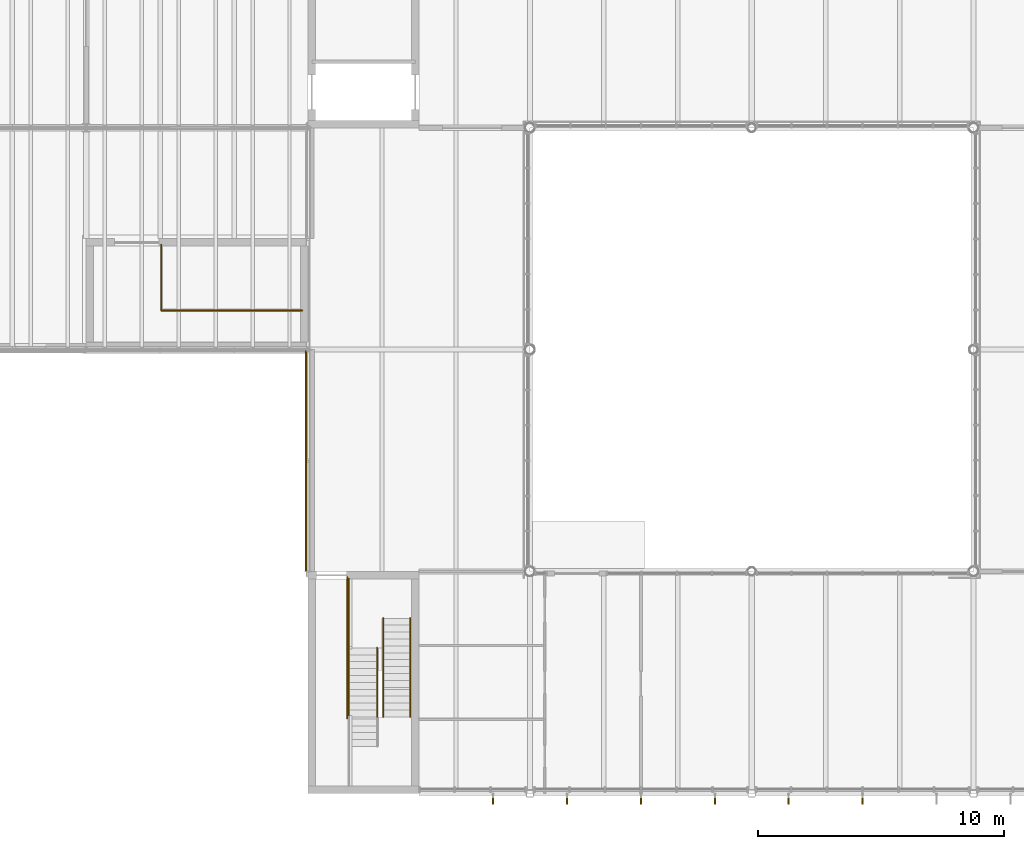
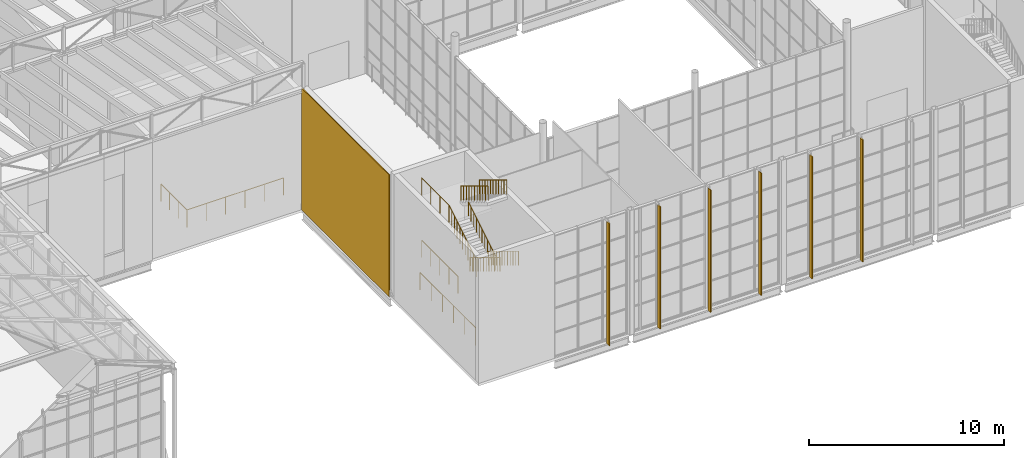
# One storey, part 87 of 90: 10 railings, 6 shading devices, 1 covering.
"""IFC4 building model written with IfcOpenShell, lengths in metres."""

from ifc_helpers import new_model, si_unit, direction, frame, frame_2d, origin, origin_2d, place, context, subcontext, project, spatial, rectangle, circle, extrude, material, layer, layer_set, type_object, element, save


model = new_model("IFC4")

# Units and contexts
model_context = context("Model", 3, precision=1e-05, world=origin(), true_north=direction((0.0, 1.0)))
body_context = subcontext(model_context, "Body", "Model", "MODEL_VIEW")
ifc_project = project(units=[si_unit("LENGTHUNIT", "METRE"), si_unit("AREAUNIT", "SQUARE_METRE"), si_unit("VOLUMEUNIT", "CUBIC_METRE"), si_unit("PLANEANGLEUNIT", "RADIAN"), si_unit("MASSUNIT", "GRAM", prefix="KILO")], contexts=[model_context])

# Site, building, storey
site_placement = place(None, origin())
site = spatial("IfcSite", under=ifc_project, at=site_placement, CompositionType="ELEMENT")
building_placement = place(site_placement, origin())
building = spatial("IfcBuilding", under=site, at=building_placement, Name="Halyard Row Museum", CompositionType="ELEMENT")
storey_placement = place(building_placement, frame((0.0, 0.0, 13.39990234375)))
storey = spatial("IfcBuildingStorey", under=building, at=storey_placement, Name="L03", CompositionType="ELEMENT", Elevation=13.39990234375)

# Railings
ifc_material_1 = material(Name="Steel Grade 300", Category="steel")
railing_type_1 = type_object("IfcRailingType", Name="Guard GR2 steel balustrade 1100", PredefinedType="GUARDRAIL", material=ifc_material_1)
railing_1_placement = place(storey_placement, frame((73.64990234375, 3.10009765625, 4.2392578125)))
element("IfcRailing", 1, at=railing_1_placement, inside=storey, type_object=railing_type_1, Name="Guard GR046", PredefinedType="GUARDRAIL", context=body_context, shape_type="SweptSolid", body=[
    extrude(circle(Radius=0.02392578125, at=origin_2d()), frame((0.0, 0.0, 1.076171875), z_axis=(0.0, 0.855378239897, 0.518003925382), x_axis=(-1.0, 0.0, 0.0)), (0.0, 0.0, 1.0), 0.3271484375),
    extrude(circle(Radius=0.02392578125, at=origin_2d()), frame((0.0, 0.27978515625, 1.24560546875), z_axis=(0.0, 0.855247904055, 0.518219087461), x_axis=(-1.0, 0.0, 0.0)), (0.0, 0.0, 1.0), 0.327392578125),
    extrude(circle(Radius=0.02392578125, at=origin_2d()), frame((0.0, 0.559814453125, 1.4150390625), z_axis=(0.0, 0.855578329207, 0.517673374428), x_axis=(-1.0, 0.0, 0.0)), (0.0, 0.0, 1.0), 0.327392578125),
    extrude(circle(Radius=0.02392578125, at=origin_2d()), frame((0.0, 0.83984375, 1.58447265625), z_axis=(0.0, 0.855247904055, 0.518219087461), x_axis=(-1.0, 0.0, 0.0)), (0.0, 0.0, 1.0), 0.327392578125),
    extrude(circle(Radius=0.02392578125, at=origin_2d()), frame((0.0, 1.119873046875, 1.75439453125), z_axis=(0.0, 0.855247904055, 0.518219087461), x_axis=(-1.0, 0.0, 0.0)), (0.0, 0.0, 1.0), 0.327392578125),
    extrude(circle(Radius=0.02392578125, at=origin_2d()), frame((0.0, 1.39990234375, 1.923828125), z_axis=(0.0, 0.855578329207, 0.517673374428), x_axis=(-1.0, 0.0, 0.0)), (0.0, 0.0, 1.0), 0.327392578125),
    extrude(circle(Radius=0.02392578125, at=origin_2d()), frame((0.0, 1.679931640625, 2.09326171875), z_axis=(0.0, 0.855247904055, 0.518219087461), x_axis=(-1.0, 0.0, 0.0)), (0.0, 0.0, 1.0), 0.327392578125),
    extrude(circle(Radius=0.02392578125, at=origin_2d()), frame((0.0, 1.9599609375, 2.26318359375), z_axis=(0.0, 0.855578329207, 0.517673374428), x_axis=(-1.0, 0.0, 0.0)), (0.0, 0.0, 1.0), 0.327392578125),
    extrude(circle(Radius=0.02392578125, at=origin_2d()), frame((0.0, 2.239990234375, 2.4326171875), z_axis=(0.0, 0.855247904055, 0.518219087461), x_axis=(-1.0, 0.0, 0.0)), (0.0, 0.0, 1.0), 0.327392578125),
    extrude(circle(Radius=0.02392578125, at=origin_2d()), frame((0.0, 2.52001953125, 2.60205078125), z_axis=(0.0, 0.855378239897, 0.518003925382), x_axis=(-1.0, 0.0, 0.0)), (0.0, 0.0, 1.0), 0.3271484375),
    extrude(circle(Radius=0.02099609375, at=origin_2d()), origin(), (0.0, 0.0, 1.0), 1.052001953125),
    extrude(circle(Radius=0.02099609375, at=origin_2d()), frame((0.0, 0.27978515625, 0.16943359375)), (0.0, 0.0, 1.0), 1.052001953125),
    extrude(circle(Radius=0.02099609375, at=origin_2d()), frame((0.0, 0.559814453125, 0.339111328125)), (0.0, 0.0, 1.0), 1.052001953125),
    extrude(circle(Radius=0.02099609375, at=origin_2d()), frame((0.0, 0.83984375, 0.508544921875)), (0.0, 0.0, 1.0), 1.052001953125),
    extrude(circle(Radius=0.02099609375, at=origin_2d()), frame((0.0, 1.119873046875, 0.67822265625)), (0.0, 0.0, 1.0), 1.052001953125),
    extrude(circle(Radius=0.02099609375, at=origin_2d()), frame((0.0, 1.39990234375, 0.847900390625)), (0.0, 0.0, 1.0), 1.052001953125),
    extrude(circle(Radius=0.02099609375, at=origin_2d()), frame((0.0, 1.679931640625, 1.017333984375)), (0.0, 0.0, 1.0), 1.052001953125),
    extrude(circle(Radius=0.02099609375, at=origin_2d()), frame((0.0, 1.9599609375, 1.18701171875)), (0.0, 0.0, 1.0), 1.052001953125),
    extrude(circle(Radius=0.02099609375, at=origin_2d()), frame((0.0, 2.239990234375, 1.3564453125)), (0.0, 0.0, 1.0), 1.052001953125),
    extrude(circle(Radius=0.02099609375, at=origin_2d()), frame((0.0, 2.52001953125, 1.526123046875)), (0.0, 0.0, 1.0), 1.052001953125),
    extrude(circle(Radius=0.02099609375, at=origin_2d()), frame((0.0, 2.7998046875, 1.695556640625)), (0.0, 0.0, 1.0), 1.052001953125),
])
railing_2_placement = place(storey_placement, frame((73.64990234375, 4.97998046875, 2.034912109375)))
element("IfcRailing", 2, at=railing_2_placement, inside=storey, type_object=railing_type_1, Name="Guard GR047", PredefinedType="GUARDRAIL", context=body_context, shape_type="SweptSolid", body=[
    extrude(circle(Radius=0.02392578125, at=origin_2d()), frame((0.0, 0.0, 1.076171875), z_axis=(0.0, 1.0, 0.0), x_axis=(-1.0, 0.0, 0.0)), (0.0, 0.0, 1.0), 3.719970703125),
    extrude(circle(Radius=0.02099609375, at=origin_2d()), origin(), (0.0, 0.0, 1.0), 1.052001953125),
    extrude(circle(Radius=0.02099609375, at=origin_2d()), frame((0.0, 0.929931640625, 0.0)), (0.0, 0.0, 1.0), 1.052001953125),
    extrude(circle(Radius=0.02099609375, at=origin_2d()), frame((0.0, 1.85986328125, 0.0)), (0.0, 0.0, 1.0), 1.052001953125),
    extrude(circle(Radius=0.02099609375, at=origin_2d()), frame((0.0, 2.7900390625, 0.0)), (0.0, 0.0, 1.0), 1.052001953125),
    extrude(circle(Radius=0.02099609375, at=origin_2d()), frame((0.0, 3.719970703125, 0.0)), (0.0, 0.0, 1.0), 1.052001953125),
])
railing_3_placement = place(storey_placement, frame((73.64990234375, 5.89990234375, 5.934814453125)))
element("IfcRailing", 3, at=railing_3_placement, inside=storey, type_object=railing_type_1, Name="Guard GR049", PredefinedType="GUARDRAIL", context=body_context, shape_type="SweptSolid", body=[
    extrude(circle(Radius=0.02392578125, at=origin_2d()), frame((0.0, 0.0, 1.076171875), z_axis=(0.0, 1.0, 0.0), x_axis=(-1.0, 0.0, 0.0)), (0.0, 0.0, 1.0), 2.800048828125),
    extrude(circle(Radius=0.02099609375, at=origin_2d()), origin(), (0.0, 0.0, 1.0), 1.052001953125),
    extrude(circle(Radius=0.02099609375, at=origin_2d()), frame((0.0, 0.933349609375, 0.0)), (0.0, 0.0, 1.0), 1.052001953125),
    extrude(circle(Radius=0.02099609375, at=origin_2d()), frame((0.0, 1.86669921875, 0.0)), (0.0, 0.0, 1.0), 1.052001953125),
    extrude(circle(Radius=0.02099609375, at=origin_2d()), frame((0.0, 2.800048828125, 0.0)), (0.0, 0.0, 1.0), 1.052001953125),
])
railing_4_placement = place(storey_placement, frame((71.760009765625, 19.590087890625, 0.0)))
element("IfcRailing", 4, at=railing_4_placement, inside=storey, type_object=railing_type_1, Name="Guard GR149", PredefinedType="GUARDRAIL", context=body_context, shape_type="SweptSolid", body=[
    extrude(circle(Radius=0.02392578125, at=origin_2d()), frame((0.0, 0.0, 1.076171875), z_axis=(-1.0, 0.0, 0.0), x_axis=(0.0, -1.0, 0.0)), (0.0, 0.0, 1.0), 5.719970703125),
    extrude(circle(Radius=0.02392578125, at=origin_2d()), frame((-5.719970703125, 0.0, 1.076171875), z_axis=(0.0, 1.0, 0.0), x_axis=(-1.0, 0.0, 0.0)), (0.0, 0.0, 1.0), 2.669921875),
    extrude(circle(Radius=0.02099609375, at=origin_2d()), origin(), (0.0, 0.0, 1.0), 1.052001953125),
    extrude(circle(Radius=0.02099609375, at=origin_2d()), frame((-1.14404296875, 0.0, 0.0)), (0.0, 0.0, 1.0), 1.052001953125),
    extrude(circle(Radius=0.02099609375, at=origin_2d()), frame((-2.2880859375, 0.0, 0.0)), (0.0, 0.0, 1.0), 1.052001953125),
    extrude(circle(Radius=0.02099609375, at=origin_2d()), frame((-3.431884765625, 0.0, 0.0)), (0.0, 0.0, 1.0), 1.052001953125),
    extrude(circle(Radius=0.02099609375, at=origin_2d()), frame((-4.575927734375, 0.0, 0.0)), (0.0, 0.0, 1.0), 1.052001953125),
    extrude(circle(Radius=0.02099609375, at=origin_2d()), frame((-5.719970703125, 0.0, 0.0)), (0.0, 0.0, 1.0), 1.052001953125),
    extrude(circle(Radius=0.02099609375, at=origin_2d()), frame((-5.719970703125, 0.889892578125, 0.0)), (0.0, 0.0, 1.0), 1.052001953125),
    extrude(circle(Radius=0.02099609375, at=origin_2d()), frame((-5.719970703125, 1.780029296875, 0.0)), (0.0, 0.0, 1.0), 1.052001953125),
    extrude(circle(Radius=0.02099609375, at=origin_2d()), frame((-5.719970703125, 2.669921875, 0.0)), (0.0, 0.0, 1.0), 1.052001953125),
])
railing_5_placement = place(storey_placement, frame((73.590087890625, 3.0400390625, 0.0)))
element("IfcRailing", 5, at=railing_5_placement, inside=storey, type_object=railing_type_1, Name="Guard GR158", PredefinedType="GUARDRAIL", context=body_context, shape_type="SweptSolid", body=[
    extrude(circle(Radius=0.02392578125, at=origin_2d()), frame((0.0, 0.0, 1.076171875), z_axis=(0.0, 1.0, 0.0), x_axis=(-1.0, 0.0, 0.0)), (0.0, 0.0, 1.0), 5.719970703125),
    extrude(circle(Radius=0.02099609375, at=origin_2d()), origin(), (0.0, 0.0, 1.0), 1.052001953125),
    extrude(circle(Radius=0.02099609375, at=origin_2d()), frame((0.0, 1.14404296875, 0.0)), (0.0, 0.0, 1.0), 1.052001953125),
    extrude(circle(Radius=0.02099609375, at=origin_2d()), frame((0.0, 2.2880859375, 0.0)), (0.0, 0.0, 1.0), 1.052001953125),
    extrude(circle(Radius=0.02099609375, at=origin_2d()), frame((0.0, 3.431884765625, 0.0)), (0.0, 0.0, 1.0), 1.052001953125),
    extrude(circle(Radius=0.02099609375, at=origin_2d()), frame((0.0, 4.575927734375, 0.0)), (0.0, 0.0, 1.0), 1.052001953125),
    extrude(circle(Radius=0.02099609375, at=origin_2d()), frame((0.0, 5.719970703125, 0.0)), (0.0, 0.0, 1.0), 1.052001953125),
])
ifc_material_2 = material(Name="Steel Grade 300", Category="steel")
railing_type_2 = type_object("IfcRailingType", Name="Handrail HR2 steel 900", PredefinedType="HANDRAIL", material=ifc_material_2)
railing_6_placement = place(storey_placement, frame((76.14990234375, 6.179931640625, 2.204345703125)))
element("IfcRailing", 6, at=railing_6_placement, inside=storey, type_object=railing_type_2, Name="Handrail HR068", PredefinedType="HANDRAIL", context=body_context, shape_type="SweptSolid", body=[
    extrude(circle(Radius=0.02392578125, at=origin_2d()), frame((0.0, 0.0, 0.8759765625), z_axis=(0.0, -0.855247904055, 0.518219087461), x_axis=(1.0, 0.0, 0.0)), (0.0, 0.0, 1.0), 0.327392578125),
    extrude(circle(Radius=0.02392578125, at=origin_2d()), frame((0.0, -0.280029296875, 1.04541015625), z_axis=(0.0, -0.855378239897, 0.518003925382), x_axis=(1.0, 0.0, 0.0)), (0.0, 0.0, 1.0), 0.3271484375),
    extrude(circle(Radius=0.02392578125, at=origin_2d()), frame((0.0, -0.559814453125, 1.21484375), z_axis=(0.0, -0.855247904055, 0.518219087461), x_axis=(1.0, 0.0, 0.0)), (0.0, 0.0, 1.0), 0.327392578125),
    extrude(circle(Radius=0.02392578125, at=origin_2d()), frame((0.0, -0.83984375, 1.384765625), z_axis=(0.0, -0.855247904055, 0.518219087461), x_axis=(1.0, 0.0, 0.0)), (0.0, 0.0, 1.0), 0.327392578125),
    extrude(circle(Radius=0.02392578125, at=origin_2d()), frame((0.0, -1.119873046875, 1.55419921875), z_axis=(0.0, -0.855578329207, 0.517673374428), x_axis=(1.0, 0.0, 0.0)), (0.0, 0.0, 1.0), 0.327392578125),
    extrude(circle(Radius=0.02392578125, at=origin_2d()), frame((0.0, -1.39990234375, 1.7236328125), z_axis=(0.0, -0.855247904055, 0.518219087461), x_axis=(1.0, 0.0, 0.0)), (0.0, 0.0, 1.0), 0.327392578125),
    extrude(circle(Radius=0.02392578125, at=origin_2d()), frame((0.0, -1.679931640625, 1.8935546875), z_axis=(0.0, -0.855578329207, 0.517673374428), x_axis=(1.0, 0.0, 0.0)), (0.0, 0.0, 1.0), 0.327392578125),
    extrude(circle(Radius=0.02392578125, at=origin_2d()), frame((0.0, -1.9599609375, 2.06298828125), z_axis=(0.0, -0.855247904055, 0.518219087461), x_axis=(1.0, 0.0, 0.0)), (0.0, 0.0, 1.0), 0.327392578125),
    extrude(circle(Radius=0.02392578125, at=origin_2d()), frame((0.0, -2.239990234375, 2.232421875), z_axis=(0.0, -0.855578329207, 0.517673374428), x_axis=(1.0, 0.0, 0.0)), (0.0, 0.0, 1.0), 0.327392578125),
    extrude(circle(Radius=0.02392578125, at=origin_2d()), frame((0.0, -2.52001953125, 2.40185546875), z_axis=(0.0, -0.855247904055, 0.518219087461), x_axis=(1.0, 0.0, 0.0)), (0.0, 0.0, 1.0), 0.327392578125),
    extrude(circle(Radius=0.02392578125, at=origin_2d()), frame((0.0, -2.800048828125, 2.57177734375), z_axis=(0.0, -0.855378239897, 0.518003925382), x_axis=(1.0, 0.0, 0.0)), (0.0, 0.0, 1.0), 0.3271484375),
    extrude(circle(Radius=0.02099609375, at=origin_2d()), origin(), (0.0, 0.0, 1.0), 0.851806640625),
    extrude(circle(Radius=0.02099609375, at=origin_2d()), frame((0.0, -0.280029296875, 0.169677734375)), (0.0, 0.0, 1.0), 0.851806640625),
    extrude(circle(Radius=0.02099609375, at=origin_2d()), frame((0.0, -0.559814453125, 0.339111328125)), (0.0, 0.0, 1.0), 0.851806640625),
    extrude(circle(Radius=0.02099609375, at=origin_2d()), frame((0.0, -0.83984375, 0.5087890625)), (0.0, 0.0, 1.0), 0.851806640625),
    extrude(circle(Radius=0.02099609375, at=origin_2d()), frame((0.0, -1.119873046875, 0.678466796875)), (0.0, 0.0, 1.0), 0.851806640625),
    extrude(circle(Radius=0.02099609375, at=origin_2d()), frame((0.0, -1.39990234375, 0.847900390625)), (0.0, 0.0, 1.0), 0.851806640625),
    extrude(circle(Radius=0.02099609375, at=origin_2d()), frame((0.0, -1.679931640625, 1.017578125)), (0.0, 0.0, 1.0), 0.851806640625),
    extrude(circle(Radius=0.02099609375, at=origin_2d()), frame((0.0, -1.9599609375, 1.18701171875)), (0.0, 0.0, 1.0), 0.851806640625),
    extrude(circle(Radius=0.02099609375, at=origin_2d()), frame((0.0, -2.239990234375, 1.356689453125)), (0.0, 0.0, 1.0), 0.851806640625),
    extrude(circle(Radius=0.02099609375, at=origin_2d()), frame((0.0, -2.52001953125, 1.526123046875)), (0.0, 0.0, 1.0), 0.851806640625),
    extrude(circle(Radius=0.02099609375, at=origin_2d()), frame((0.0, -2.800048828125, 1.69580078125)), (0.0, 0.0, 1.0), 0.851806640625),
    extrude(circle(Radius=0.02099609375, at=origin_2d()), frame((0.0, -3.079833984375, 1.865234375)), (0.0, 0.0, 1.0), 0.851806640625),
])
railing_7_placement = place(storey_placement, frame((75.050048828125, 6.179931640625, 2.204345703125)))
element("IfcRailing", 7, at=railing_7_placement, inside=storey, type_object=railing_type_2, Name="Handrail HR069", PredefinedType="HANDRAIL", context=body_context, shape_type="SweptSolid", body=[
    extrude(circle(Radius=0.02392578125, at=origin_2d()), frame((0.0, 0.0, 0.8759765625), z_axis=(0.0, -0.855247904055, 0.518219087461), x_axis=(1.0, 0.0, 0.0)), (0.0, 0.0, 1.0), 0.327392578125),
    extrude(circle(Radius=0.02392578125, at=origin_2d()), frame((0.0, -0.280029296875, 1.04541015625), z_axis=(0.0, -0.855378239897, 0.518003925382), x_axis=(1.0, 0.0, 0.0)), (0.0, 0.0, 1.0), 0.3271484375),
    extrude(circle(Radius=0.02392578125, at=origin_2d()), frame((0.0, -0.559814453125, 1.21484375), z_axis=(0.0, -0.855247904055, 0.518219087461), x_axis=(1.0, 0.0, 0.0)), (0.0, 0.0, 1.0), 0.327392578125),
    extrude(circle(Radius=0.02392578125, at=origin_2d()), frame((0.0, -0.83984375, 1.384765625), z_axis=(0.0, -0.855247904055, 0.518219087461), x_axis=(1.0, 0.0, 0.0)), (0.0, 0.0, 1.0), 0.327392578125),
    extrude(circle(Radius=0.02392578125, at=origin_2d()), frame((0.0, -1.119873046875, 1.55419921875), z_axis=(0.0, -0.855578329207, 0.517673374428), x_axis=(1.0, 0.0, 0.0)), (0.0, 0.0, 1.0), 0.327392578125),
    extrude(circle(Radius=0.02392578125, at=origin_2d()), frame((0.0, -1.39990234375, 1.7236328125), z_axis=(0.0, -0.855247904055, 0.518219087461), x_axis=(1.0, 0.0, 0.0)), (0.0, 0.0, 1.0), 0.327392578125),
    extrude(circle(Radius=0.02392578125, at=origin_2d()), frame((0.0, -1.679931640625, 1.8935546875), z_axis=(0.0, -0.855578329207, 0.517673374428), x_axis=(1.0, 0.0, 0.0)), (0.0, 0.0, 1.0), 0.327392578125),
    extrude(circle(Radius=0.02392578125, at=origin_2d()), frame((0.0, -1.9599609375, 2.06298828125), z_axis=(0.0, -0.855247904055, 0.518219087461), x_axis=(1.0, 0.0, 0.0)), (0.0, 0.0, 1.0), 0.327392578125),
    extrude(circle(Radius=0.02392578125, at=origin_2d()), frame((0.0, -2.239990234375, 2.232421875), z_axis=(0.0, -0.855578329207, 0.517673374428), x_axis=(1.0, 0.0, 0.0)), (0.0, 0.0, 1.0), 0.327392578125),
    extrude(circle(Radius=0.02392578125, at=origin_2d()), frame((0.0, -2.52001953125, 2.40185546875), z_axis=(0.0, -0.855247904055, 0.518219087461), x_axis=(1.0, 0.0, 0.0)), (0.0, 0.0, 1.0), 0.327392578125),
    extrude(circle(Radius=0.02392578125, at=origin_2d()), frame((0.0, -2.800048828125, 2.57177734375), z_axis=(0.0, -0.855378239897, 0.518003925382), x_axis=(1.0, 0.0, 0.0)), (0.0, 0.0, 1.0), 0.3271484375),
    extrude(circle(Radius=0.02099609375, at=origin_2d()), origin(), (0.0, 0.0, 1.0), 0.851806640625),
    extrude(circle(Radius=0.02099609375, at=origin_2d()), frame((0.0, -0.280029296875, 0.169677734375)), (0.0, 0.0, 1.0), 0.851806640625),
    extrude(circle(Radius=0.02099609375, at=origin_2d()), frame((0.0, -0.559814453125, 0.339111328125)), (0.0, 0.0, 1.0), 0.851806640625),
    extrude(circle(Radius=0.02099609375, at=origin_2d()), frame((0.0, -0.83984375, 0.5087890625)), (0.0, 0.0, 1.0), 0.851806640625),
    extrude(circle(Radius=0.02099609375, at=origin_2d()), frame((0.0, -1.119873046875, 0.678466796875)), (0.0, 0.0, 1.0), 0.851806640625),
    extrude(circle(Radius=0.02099609375, at=origin_2d()), frame((0.0, -1.39990234375, 0.847900390625)), (0.0, 0.0, 1.0), 0.851806640625),
    extrude(circle(Radius=0.02099609375, at=origin_2d()), frame((0.0, -1.679931640625, 1.017578125)), (0.0, 0.0, 1.0), 0.851806640625),
    extrude(circle(Radius=0.02099609375, at=origin_2d()), frame((0.0, -1.9599609375, 1.18701171875)), (0.0, 0.0, 1.0), 0.851806640625),
    extrude(circle(Radius=0.02099609375, at=origin_2d()), frame((0.0, -2.239990234375, 1.356689453125)), (0.0, 0.0, 1.0), 0.851806640625),
    extrude(circle(Radius=0.02099609375, at=origin_2d()), frame((0.0, -2.52001953125, 1.526123046875)), (0.0, 0.0, 1.0), 0.851806640625),
    extrude(circle(Radius=0.02099609375, at=origin_2d()), frame((0.0, -2.800048828125, 1.69580078125)), (0.0, 0.0, 1.0), 0.851806640625),
    extrude(circle(Radius=0.02099609375, at=origin_2d()), frame((0.0, -3.079833984375, 1.865234375)), (0.0, 0.0, 1.0), 0.851806640625),
])
railing_8_placement = place(storey_placement, frame((74.800048828125, 3.10009765625, 4.2392578125)))
element("IfcRailing", 8, at=railing_8_placement, inside=storey, type_object=railing_type_2, Name="Handrail HR070", PredefinedType="HANDRAIL", context=body_context, shape_type="SweptSolid", body=[
    extrude(circle(Radius=0.02392578125, at=origin_2d()), frame((0.0, 0.0, 0.8759765625), z_axis=(0.0, 0.855378239897, 0.518003925382), x_axis=(-1.0, 0.0, 0.0)), (0.0, 0.0, 1.0), 0.3271484375),
    extrude(circle(Radius=0.02392578125, at=origin_2d()), frame((0.0, 0.27978515625, 1.04541015625), z_axis=(0.0, 0.855247904055, 0.518219087461), x_axis=(-1.0, 0.0, 0.0)), (0.0, 0.0, 1.0), 0.327392578125),
    extrude(circle(Radius=0.02392578125, at=origin_2d()), frame((0.0, 0.559814453125, 1.21484375), z_axis=(0.0, 0.855578329207, 0.517673374428), x_axis=(-1.0, 0.0, 0.0)), (0.0, 0.0, 1.0), 0.327392578125),
    extrude(circle(Radius=0.02392578125, at=origin_2d()), frame((0.0, 0.83984375, 1.38427734375), z_axis=(0.0, 0.855247904055, 0.518219087461), x_axis=(-1.0, 0.0, 0.0)), (0.0, 0.0, 1.0), 0.327392578125),
    extrude(circle(Radius=0.02392578125, at=origin_2d()), frame((0.0, 1.119873046875, 1.55419921875), z_axis=(0.0, 0.855247904055, 0.518219087461), x_axis=(-1.0, 0.0, 0.0)), (0.0, 0.0, 1.0), 0.327392578125),
    extrude(circle(Radius=0.02392578125, at=origin_2d()), frame((0.0, 1.39990234375, 1.7236328125), z_axis=(0.0, 0.855578329207, 0.517673374428), x_axis=(-1.0, 0.0, 0.0)), (0.0, 0.0, 1.0), 0.327392578125),
    extrude(circle(Radius=0.02392578125, at=origin_2d()), frame((0.0, 1.679931640625, 1.89306640625), z_axis=(0.0, 0.855247904055, 0.518219087461), x_axis=(-1.0, 0.0, 0.0)), (0.0, 0.0, 1.0), 0.327392578125),
    extrude(circle(Radius=0.02392578125, at=origin_2d()), frame((0.0, 1.9599609375, 2.06298828125), z_axis=(0.0, 0.855578329207, 0.517673374428), x_axis=(-1.0, 0.0, 0.0)), (0.0, 0.0, 1.0), 0.327392578125),
    extrude(circle(Radius=0.02392578125, at=origin_2d()), frame((0.0, 2.239990234375, 2.232421875), z_axis=(0.0, 0.855247904055, 0.518219087461), x_axis=(-1.0, 0.0, 0.0)), (0.0, 0.0, 1.0), 0.327392578125),
    extrude(circle(Radius=0.02392578125, at=origin_2d()), frame((0.0, 2.52001953125, 2.40185546875), z_axis=(0.0, 0.855378239897, 0.518003925382), x_axis=(-1.0, 0.0, 0.0)), (0.0, 0.0, 1.0), 0.3271484375),
    extrude(circle(Radius=0.02099609375, at=origin_2d()), origin(), (0.0, 0.0, 1.0), 0.851806640625),
    extrude(circle(Radius=0.02099609375, at=origin_2d()), frame((0.0, 0.27978515625, 0.16943359375)), (0.0, 0.0, 1.0), 0.851806640625),
    extrude(circle(Radius=0.02099609375, at=origin_2d()), frame((0.0, 0.559814453125, 0.339111328125)), (0.0, 0.0, 1.0), 0.851806640625),
    extrude(circle(Radius=0.02099609375, at=origin_2d()), frame((0.0, 0.83984375, 0.508544921875)), (0.0, 0.0, 1.0), 0.851806640625),
    extrude(circle(Radius=0.02099609375, at=origin_2d()), frame((0.0, 1.119873046875, 0.67822265625)), (0.0, 0.0, 1.0), 0.851806640625),
    extrude(circle(Radius=0.02099609375, at=origin_2d()), frame((0.0, 1.39990234375, 0.847900390625)), (0.0, 0.0, 1.0), 0.851806640625),
    extrude(circle(Radius=0.02099609375, at=origin_2d()), frame((0.0, 1.679931640625, 1.017333984375)), (0.0, 0.0, 1.0), 0.851806640625),
    extrude(circle(Radius=0.02099609375, at=origin_2d()), frame((0.0, 1.9599609375, 1.18701171875)), (0.0, 0.0, 1.0), 0.851806640625),
    extrude(circle(Radius=0.02099609375, at=origin_2d()), frame((0.0, 2.239990234375, 1.3564453125)), (0.0, 0.0, 1.0), 0.851806640625),
    extrude(circle(Radius=0.02099609375, at=origin_2d()), frame((0.0, 2.52001953125, 1.526123046875)), (0.0, 0.0, 1.0), 0.851806640625),
    extrude(circle(Radius=0.02099609375, at=origin_2d()), frame((0.0, 2.7998046875, 1.695556640625)), (0.0, 0.0, 1.0), 0.851806640625),
])
railing_9_placement = place(storey_placement, frame((76.14990234375, 7.10009765625, 6.1044921875)))
element("IfcRailing", 9, at=railing_9_placement, inside=storey, type_object=railing_type_2, Name="Handrail HR071", PredefinedType="HANDRAIL", context=body_context, shape_type="SweptSolid", body=[
    extrude(circle(Radius=0.02392578125, at=origin_2d()), frame((0.0, 0.0, 0.8759765625), z_axis=(0.0, -0.855578329207, 0.517673374428), x_axis=(1.0, 0.0, 0.0)), (0.0, 0.0, 1.0), 0.327392578125),
    extrude(circle(Radius=0.02392578125, at=origin_2d()), frame((0.0, -0.280029296875, 1.04541015625), z_axis=(0.0, -0.855247904055, 0.518219087461), x_axis=(1.0, 0.0, 0.0)), (0.0, 0.0, 1.0), 0.327392578125),
    extrude(circle(Radius=0.02392578125, at=origin_2d()), frame((0.0, -0.56005859375, 1.21484375), z_axis=(0.0, -0.855578329207, 0.517673374428), x_axis=(1.0, 0.0, 0.0)), (0.0, 0.0, 1.0), 0.327392578125),
    extrude(circle(Radius=0.02392578125, at=origin_2d()), frame((0.0, -0.840087890625, 1.38427734375), z_axis=(0.0, -0.855247904055, 0.518219087461), x_axis=(1.0, 0.0, 0.0)), (0.0, 0.0, 1.0), 0.327392578125),
    extrude(circle(Radius=0.02392578125, at=origin_2d()), frame((0.0, -1.1201171875, 1.55419921875), z_axis=(0.0, -0.855247904055, 0.518219087461), x_axis=(1.0, 0.0, 0.0)), (0.0, 0.0, 1.0), 0.327392578125),
    extrude(circle(Radius=0.02392578125, at=origin_2d()), frame((0.0, -1.400146484375, 1.7236328125), z_axis=(0.0, -0.855578329207, 0.517673374428), x_axis=(1.0, 0.0, 0.0)), (0.0, 0.0, 1.0), 0.327392578125),
    extrude(circle(Radius=0.02392578125, at=origin_2d()), frame((0.0, -1.68017578125, 1.89306640625), z_axis=(0.0, -0.855247904055, 0.518219087461), x_axis=(1.0, 0.0, 0.0)), (0.0, 0.0, 1.0), 0.327392578125),
    extrude(circle(Radius=0.02392578125, at=origin_2d()), frame((0.0, -1.960205078125, 2.06298828125), z_axis=(0.0, -0.855378239897, 0.518003925382), x_axis=(1.0, 0.0, 0.0)), (0.0, 0.0, 1.0), 0.3271484375),
    extrude(circle(Radius=0.02392578125, at=origin_2d()), frame((0.0, -2.239990234375, 2.232421875), z_axis=(0.0, -0.855247904055, 0.518219087461), x_axis=(1.0, 0.0, 0.0)), (0.0, 0.0, 1.0), 0.327392578125),
    extrude(circle(Radius=0.02392578125, at=origin_2d()), frame((0.0, -2.52001953125, 2.40185546875), z_axis=(0.0, -0.855578329207, 0.517673374428), x_axis=(1.0, 0.0, 0.0)), (0.0, 0.0, 1.0), 0.327392578125),
    extrude(circle(Radius=0.02099609375, at=origin_2d()), origin(), (0.0, 0.0, 1.0), 0.851806640625),
    extrude(circle(Radius=0.02099609375, at=origin_2d()), frame((0.0, -0.280029296875, 0.16943359375)), (0.0, 0.0, 1.0), 0.851806640625),
    extrude(circle(Radius=0.02099609375, at=origin_2d()), frame((0.0, -0.56005859375, 0.339111328125)), (0.0, 0.0, 1.0), 0.851806640625),
    extrude(circle(Radius=0.02099609375, at=origin_2d()), frame((0.0, -0.840087890625, 0.508544921875)), (0.0, 0.0, 1.0), 0.851806640625),
    extrude(circle(Radius=0.02099609375, at=origin_2d()), frame((0.0, -1.1201171875, 0.67822265625)), (0.0, 0.0, 1.0), 0.851806640625),
    extrude(circle(Radius=0.02099609375, at=origin_2d()), frame((0.0, -1.400146484375, 0.847900390625)), (0.0, 0.0, 1.0), 0.851806640625),
    extrude(circle(Radius=0.02099609375, at=origin_2d()), frame((0.0, -1.68017578125, 1.017333984375)), (0.0, 0.0, 1.0), 0.851806640625),
    extrude(circle(Radius=0.02099609375, at=origin_2d()), frame((0.0, -1.960205078125, 1.18701171875)), (0.0, 0.0, 1.0), 0.851806640625),
    extrude(circle(Radius=0.02099609375, at=origin_2d()), frame((0.0, -2.239990234375, 1.3564453125)), (0.0, 0.0, 1.0), 0.851806640625),
    extrude(circle(Radius=0.02099609375, at=origin_2d()), frame((0.0, -2.52001953125, 1.526123046875)), (0.0, 0.0, 1.0), 0.851806640625),
    extrude(circle(Radius=0.02099609375, at=origin_2d()), frame((0.0, -2.800048828125, 1.695556640625)), (0.0, 0.0, 1.0), 0.851806640625),
])
railing_10_placement = place(storey_placement, frame((75.050048828125, 7.10009765625, 6.1044921875)))
element("IfcRailing", 10, at=railing_10_placement, inside=storey, type_object=railing_type_2, Name="Handrail HR072", PredefinedType="HANDRAIL", context=body_context, shape_type="SweptSolid", body=[
    extrude(circle(Radius=0.02392578125, at=origin_2d()), frame((0.0, 0.0, 0.8759765625), z_axis=(0.0, -0.855578329207, 0.517673374428), x_axis=(1.0, 0.0, 0.0)), (0.0, 0.0, 1.0), 0.327392578125),
    extrude(circle(Radius=0.02392578125, at=origin_2d()), frame((0.0, -0.280029296875, 1.04541015625), z_axis=(0.0, -0.855247904055, 0.518219087461), x_axis=(1.0, 0.0, 0.0)), (0.0, 0.0, 1.0), 0.327392578125),
    extrude(circle(Radius=0.02392578125, at=origin_2d()), frame((0.0, -0.56005859375, 1.21484375), z_axis=(0.0, -0.855578329207, 0.517673374428), x_axis=(1.0, 0.0, 0.0)), (0.0, 0.0, 1.0), 0.327392578125),
    extrude(circle(Radius=0.02392578125, at=origin_2d()), frame((0.0, -0.840087890625, 1.38427734375), z_axis=(0.0, -0.855247904055, 0.518219087461), x_axis=(1.0, 0.0, 0.0)), (0.0, 0.0, 1.0), 0.327392578125),
    extrude(circle(Radius=0.02392578125, at=origin_2d()), frame((0.0, -1.1201171875, 1.55419921875), z_axis=(0.0, -0.855247904055, 0.518219087461), x_axis=(1.0, 0.0, 0.0)), (0.0, 0.0, 1.0), 0.327392578125),
    extrude(circle(Radius=0.02392578125, at=origin_2d()), frame((0.0, -1.400146484375, 1.7236328125), z_axis=(0.0, -0.855578329207, 0.517673374428), x_axis=(1.0, 0.0, 0.0)), (0.0, 0.0, 1.0), 0.327392578125),
    extrude(circle(Radius=0.02392578125, at=origin_2d()), frame((0.0, -1.68017578125, 1.89306640625), z_axis=(0.0, -0.855247904055, 0.518219087461), x_axis=(1.0, 0.0, 0.0)), (0.0, 0.0, 1.0), 0.327392578125),
    extrude(circle(Radius=0.02392578125, at=origin_2d()), frame((0.0, -1.960205078125, 2.06298828125), z_axis=(0.0, -0.855378239897, 0.518003925382), x_axis=(1.0, 0.0, 0.0)), (0.0, 0.0, 1.0), 0.3271484375),
    extrude(circle(Radius=0.02392578125, at=origin_2d()), frame((0.0, -2.239990234375, 2.232421875), z_axis=(0.0, -0.855247904055, 0.518219087461), x_axis=(1.0, 0.0, 0.0)), (0.0, 0.0, 1.0), 0.327392578125),
    extrude(circle(Radius=0.02392578125, at=origin_2d()), frame((0.0, -2.52001953125, 2.40185546875), z_axis=(0.0, -0.855578329207, 0.517673374428), x_axis=(1.0, 0.0, 0.0)), (0.0, 0.0, 1.0), 0.327392578125),
    extrude(circle(Radius=0.02099609375, at=origin_2d()), origin(), (0.0, 0.0, 1.0), 0.851806640625),
    extrude(circle(Radius=0.02099609375, at=origin_2d()), frame((0.0, -0.280029296875, 0.16943359375)), (0.0, 0.0, 1.0), 0.851806640625),
    extrude(circle(Radius=0.02099609375, at=origin_2d()), frame((0.0, -0.56005859375, 0.339111328125)), (0.0, 0.0, 1.0), 0.851806640625),
    extrude(circle(Radius=0.02099609375, at=origin_2d()), frame((0.0, -0.840087890625, 0.508544921875)), (0.0, 0.0, 1.0), 0.851806640625),
    extrude(circle(Radius=0.02099609375, at=origin_2d()), frame((0.0, -1.1201171875, 0.67822265625)), (0.0, 0.0, 1.0), 0.851806640625),
    extrude(circle(Radius=0.02099609375, at=origin_2d()), frame((0.0, -1.400146484375, 0.847900390625)), (0.0, 0.0, 1.0), 0.851806640625),
    extrude(circle(Radius=0.02099609375, at=origin_2d()), frame((0.0, -1.68017578125, 1.017333984375)), (0.0, 0.0, 1.0), 0.851806640625),
    extrude(circle(Radius=0.02099609375, at=origin_2d()), frame((0.0, -1.960205078125, 1.18701171875)), (0.0, 0.0, 1.0), 0.851806640625),
    extrude(circle(Radius=0.02099609375, at=origin_2d()), frame((0.0, -2.239990234375, 1.3564453125)), (0.0, 0.0, 1.0), 0.851806640625),
    extrude(circle(Radius=0.02099609375, at=origin_2d()), frame((0.0, -2.52001953125, 1.526123046875)), (0.0, 0.0, 1.0), 0.851806640625),
    extrude(circle(Radius=0.02099609375, at=origin_2d()), frame((0.0, -2.800048828125, 1.695556640625)), (0.0, 0.0, 1.0), 0.851806640625),
])

# Covering
ifc_material_3 = material(Name="Fire-retardant Type A timber battens", Category="wood")
ifc_layer = layer(ifc_material_3, 0.050048828125)
ifc_layer_set = layer_set([ifc_layer], Name="Fire-retardant Type A timber battens")
covering_type = type_object("IfcCoveringType", Name="Timber batten cladding 50", PredefinedType="CLADDING", material=ifc_layer_set)
covering_placement = place(storey_placement, frame((71.9150390625, 18.0, 0.0), z_axis=(0.0, 0.0, 1.0), x_axis=(0.0, -1.0, 0.0)))
element("IfcCovering", 11, at=covering_placement, inside=storey, type_object=covering_type, Name="Cladding CLL03-008", PredefinedType="CLADDING", context=body_context, shape_type="SweptSolid", body=[
    extrude(rectangle(XDim=9.0, YDim=0.050048828125, at=frame_2d((4.5, 0.0))), origin(), (0.0, 0.0, 1.0), 7.635009765625),
])

# Shading devices
ifc_material_4 = material(Name="Glue-laminated timber GL12, oiled", Category="wood")
shading_device_type = type_object("IfcShadingDeviceType", Name="Timber fin 60 x 250", PredefinedType="USERDEFINED", material=ifc_material_4)
for number, where, z_axis, x_axis, name in (
    (12, (79.5, -0.324951171875, 0.000244140625), (0.0, 0.0, 1.0), (1.0, 0.0, 0.0), "Timber fin"),
    (13, (82.5, -0.324951171875, 0.000244140625), (0.0, 0.0, 1.0), (1.0, 0.0, 0.0), "Timber fin"),
    (14, (85.5, -0.324951171875, 0.000244140625), (0.0, 0.0, 1.0), (1.0, 0.0, 0.0), "Timber fin"),
    (15, (88.5, -0.324951171875, 0.000244140625), (0.0, 0.0, 1.0), (1.0, 0.0, 0.0), "Timber fin"),
    (16, (91.5, -0.324951171875, 0.000244140625), (0.0, 0.0, 1.0), (1.0, 0.0, 0.0), "Timber fin"),
    (17, (94.5, -0.324951171875, 0.000244140625), (0.0, 0.0, 1.0), (1.0, 0.0, 0.0), "Timber fin"),
):
    element("IfcShadingDevice", number, at=place(storey_placement, frame(where, z_axis=z_axis, x_axis=x_axis)), inside=storey, type_object=shading_device_type, Name=name, ObjectType="FIN", PredefinedType="USERDEFINED", context=body_context, shape_type="SweptSolid", body=[
        extrude(rectangle(XDim=0.06005859375, YDim=0.25, at=origin_2d()), origin(), (0.0, 0.0, 1.0), 7.64990234375),
    ])

save(model, "model.ifc")
